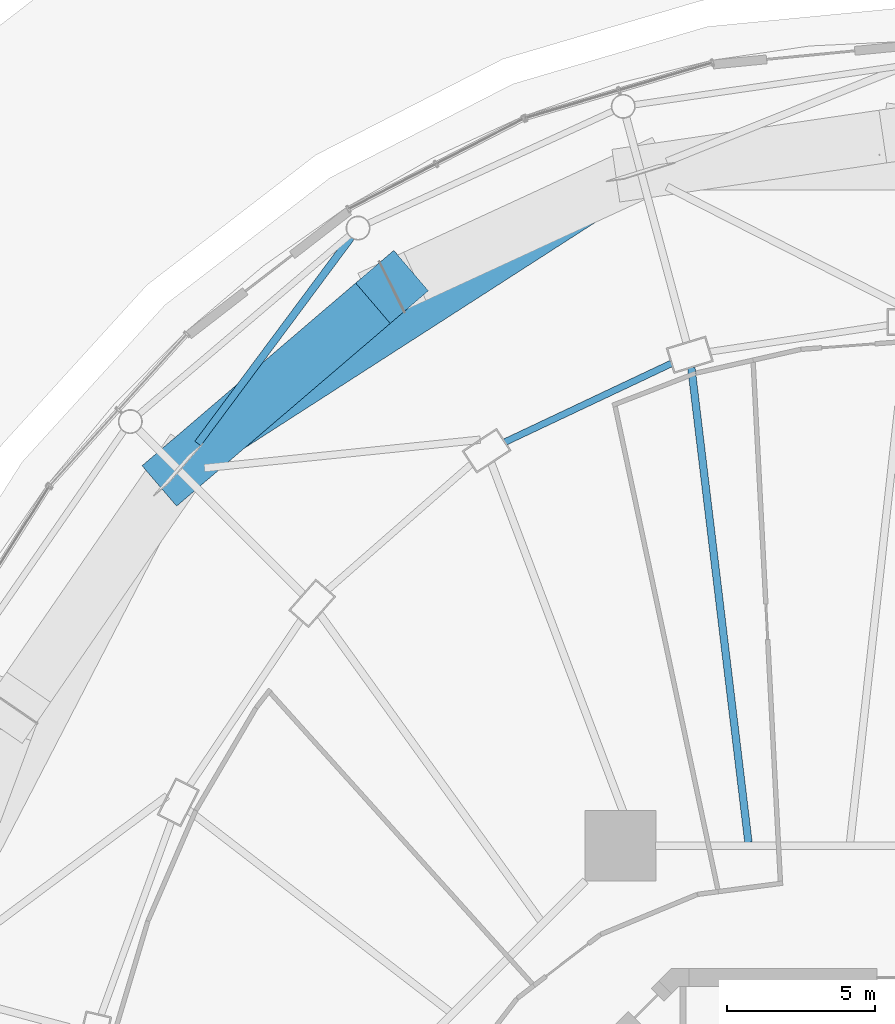
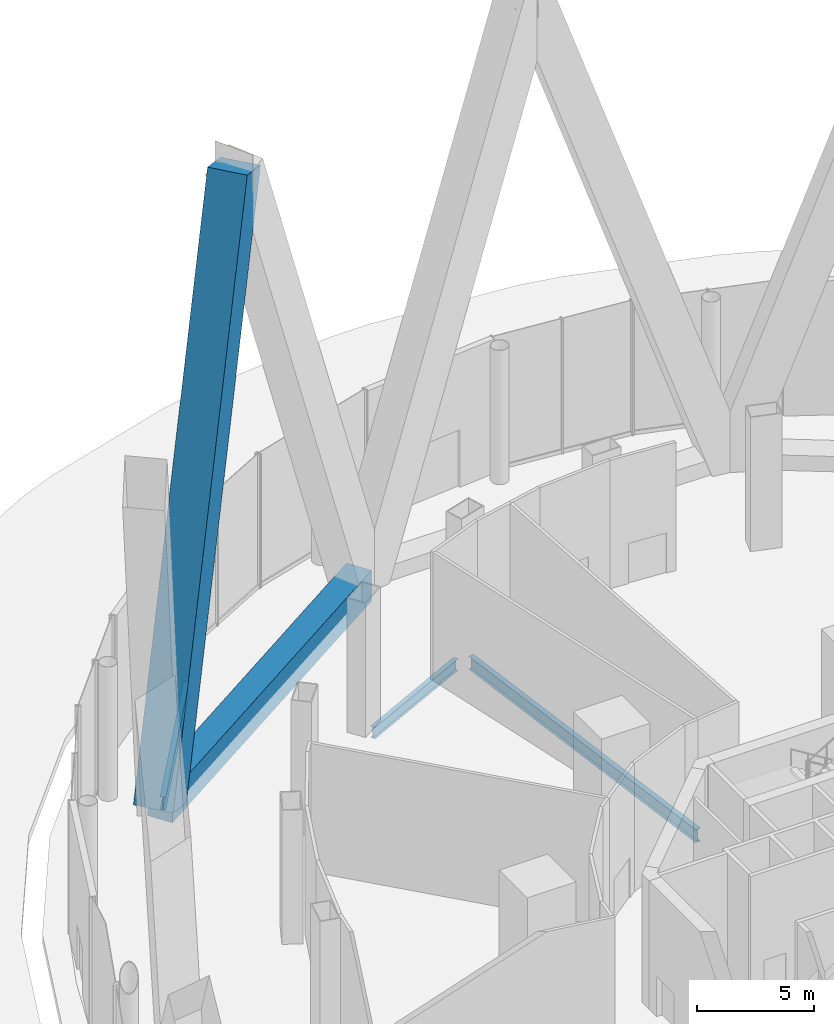
# One storey, part 44 of 67: 3 beams, 2 members.
"""IFC4 building model written with IfcOpenShell, lengths in metres."""

from ifc_helpers import new_model, si_unit, direction, frame, origin, origin_2d, place, context, subcontext, project, spatial, rectangle, i_section, extrude, material, material_profile, profile_set, type_object, element, save


model = new_model("IFC4")

# Units and contexts
model_context = context("Model", 3, precision=1e-05, world=origin(), true_north=direction((0.0, 1.0)))
body_context = subcontext(model_context, "Body", "Model", "MODEL_VIEW")
ifc_project = project(units=[si_unit("LENGTHUNIT", "METRE"), si_unit("AREAUNIT", "SQUARE_METRE"), si_unit("VOLUMEUNIT", "CUBIC_METRE"), si_unit("PLANEANGLEUNIT", "RADIAN"), si_unit("MASSUNIT", "GRAM", prefix="KILO")], contexts=[model_context])

# Site, building, storey
site_placement = place(None, origin())
site = spatial("IfcSite", under=ifc_project, at=site_placement, CompositionType="ELEMENT")
building_placement = place(site_placement, origin())
building = spatial("IfcBuilding", under=site, at=building_placement, Name="Nagisa Residences", CompositionType="ELEMENT")
storey_placement = place(building_placement, origin())
storey = spatial("IfcBuildingStorey", under=building, at=storey_placement, Name="L00", CompositionType="ELEMENT", Elevation=0.0)

# Beam
ifc_material_1 = material(Name="Steel ASTM A572 Gr 50", Category="steel")
ifc_material_profile_1 = material_profile(ifc_material_1, i_section(OverallWidth=0.2529296875, OverallDepth=0.677978515625, WebThickness=0.01171875, FlangeThickness=0.016357421875, at=origin_2d()), Name="W690x125")
ifc_profile_set_1 = profile_set([ifc_material_profile_1], Name="Steel ASTM A572 Gr 50")
beam_type_1 = type_object("IfcBeamType", Name="Atrium outer beam W690x125", PredefinedType="BEAM", material=ifc_profile_set_1)
beam_1_placement = place(storey_placement, frame((-20.420654296875, 28.390380859375, -0.739013671875), z_axis=(0.596693960534, 0.802468888781, 0.0), x_axis=(-0.802468888781, 0.596693960534, 0.0)))
element("IfcBeam", 1, at=beam_1_placement, inside=storey, type_object=beam_type_1, Name="beam:L00:er09b", PredefinedType="BEAM", context=body_context, shape_type="SweptSolid", body=[
    extrude(i_section(OverallWidth=0.2529296875, OverallDepth=0.677978515625, WebThickness=0.01171875, FlangeThickness=0.016357421875, at=origin_2d()), origin(), (0.0, 0.0, 1.0), 8.69775390625),
])

# Members
ifc_material_2 = material(Name="Concrete C80", Category="concrete")
ifc_material_profile_2 = material_profile(ifc_material_2, rectangle(XDim=1.800048828125, YDim=1.800048828125, at=origin_2d()), Name="C80 1800x1800")
ifc_profile_set_2 = profile_set([ifc_material_profile_2], Name="Concrete C80")
member_type_1 = type_object("IfcMemberType", Name="Cage diagonal 1 C80 1800x1800", PredefinedType="BRACE", material=ifc_profile_set_2)
member_1_placement = place(storey_placement, frame((-21.078125, 27.50634765625, 0.0), z_axis=(0.252496339518, 0.215960018553, 0.943189731134), x_axis=(-0.649983497444, 0.759948322618, 0.0)))
element("IfcMember", 2, at=member_1_placement, inside=storey, type_object=member_type_1, Name="mem:L00:cg1d009", PredefinedType="BRACE", context=body_context, shape_type="SweptSolid", body=[
    extrude(rectangle(XDim=1.800048828125, YDim=1.800048828125, at=origin_2d()), origin(), (0.0, 0.0, 1.0), 28.626220703125),
])
ifc_material_3 = material(Name="Concrete C80", Category="concrete")
ifc_material_profile_3 = material_profile(ifc_material_3, rectangle(XDim=1.199951171875, YDim=1.60009765625, at=origin_2d()), Name="C80 1200x1600")
ifc_profile_set_3 = profile_set([ifc_material_profile_3], Name="Concrete C80")
member_type_2 = type_object("IfcMemberType", Name="Cage ring 1 C80 1200x1600", PredefinedType="CHORD", material=ifc_profile_set_3)
member_2_placement = place(storey_placement, frame((-5.432861328125, 37.574462890625, 0.0), z_axis=(-0.840922992113, -0.541154803485, 0.0), x_axis=(0.541154803485, -0.840922992113, 0.0)))
element("IfcMember", 3, at=member_2_placement, inside=storey, type_object=member_type_2, Name="beam:L00:cg1r004", PredefinedType="CHORD", context=body_context, shape_type="SweptSolid", body=[
    extrude(rectangle(XDim=1.199951171875, YDim=1.60009765625, at=origin_2d()), origin(), (0.0, 0.0, 1.0), 18.60498046875),
])

# Beams
ifc_material_4 = material(Name="Steel ASTM A572 Gr 50", Category="steel")
ifc_material_profile_4 = material_profile(ifc_material_4, i_section(OverallWidth=0.22802734375, OverallDepth=0.60302734375, WebThickness=0.010498046875, FlangeThickness=0.014892578125, at=origin_2d()), Name="W610x101")
ifc_profile_set_4 = profile_set([ifc_material_profile_4], Name="Steel ASTM A572 Gr 50")
beam_type_2 = type_object("IfcBeamType", Name="Perimeter ring beam W610x101", PredefinedType="BEAM", material=ifc_profile_set_4)
beam_2_placement = place(storey_placement, frame((-4.39794921875, 31.098876953125, -0.701416015625), z_axis=(-0.904208275867, -0.427091786216, 0.0), x_axis=(0.427091786216, -0.904208275867, 0.0)))
element("IfcBeam", 4, at=beam_2_placement, inside=storey, type_object=beam_type_2, Name="beam:L00:pb08", PredefinedType="BEAM", context=body_context, shape_type="SweptSolid", body=[
    extrude(i_section(OverallWidth=0.22802734375, OverallDepth=0.60302734375, WebThickness=0.010498046875, FlangeThickness=0.014892578125, at=origin_2d()), origin(), (0.0, 0.0, 1.0), 6.227294921875),
])
ifc_material_5 = material(Name="Steel ASTM A572 Gr 50", Category="steel")
ifc_material_profile_5 = material_profile(ifc_material_5, i_section(OverallWidth=0.25390625, OverallDepth=0.68408203125, WebThickness=0.012451171875, FlangeThickness=0.018798828125, at=origin_2d()), Name="W690x140")
ifc_profile_set_5 = profile_set([ifc_material_profile_5], Name="Steel ASTM A572 Gr 50")
beam_type_3 = type_object("IfcBeamType", Name="Radial beam W690x140", PredefinedType="BEAM", material=ifc_profile_set_5)
beam_3_placement = place(storey_placement, frame((-3.72412109375, 30.958740234375, -0.741943359375), z_axis=(0.119431411612, -0.992842453726, 0.0), x_axis=(0.992842453726, 0.119431411612, 0.0)))
element("IfcBeam", 5, at=beam_3_placement, inside=storey, type_object=beam_type_3, Name="beam:L00:rb08", PredefinedType="BEAM", context=body_context, shape_type="SweptSolid", body=[
    extrude(i_section(OverallWidth=0.25390625, OverallDepth=0.68408203125, WebThickness=0.012451171875, FlangeThickness=0.018798828125, at=origin_2d()), origin(), (0.0, 0.0, 1.0), 16.1796875),
])

save(model, "model.ifc")
